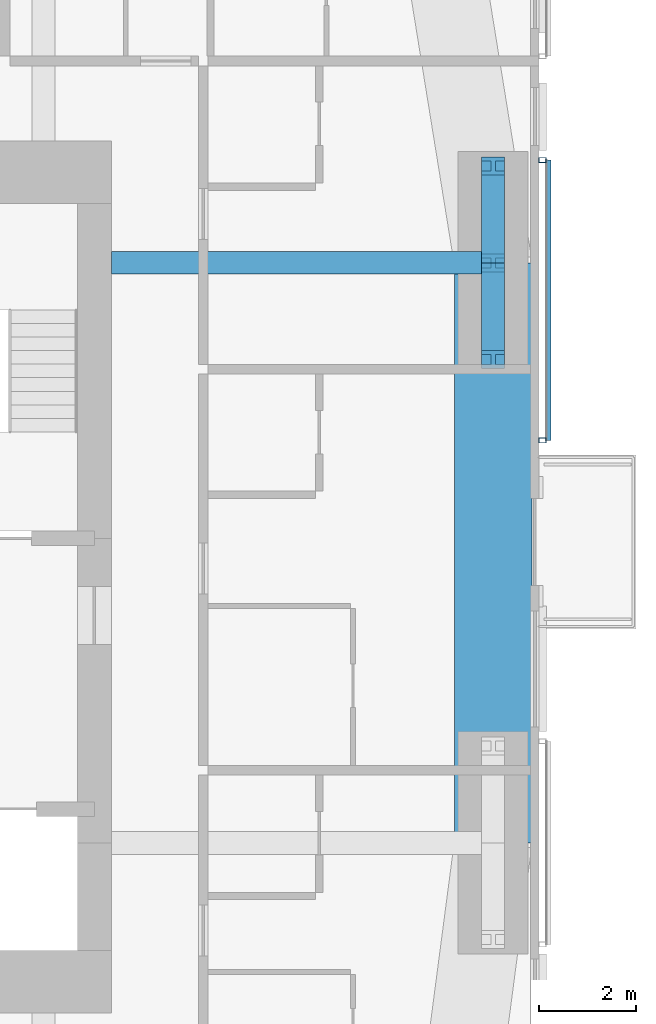
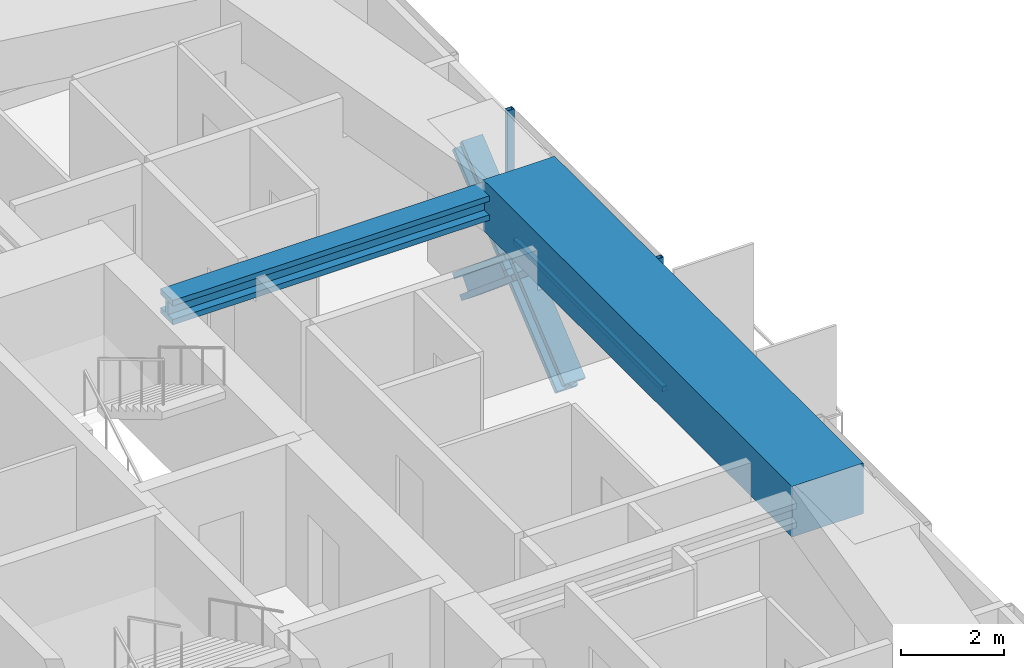
# One storey, part 8 of 23: 7 members, 2 beams, 1 element without a shape of its own.
"""IFC4 building model written with IfcOpenShell, lengths in metres."""

from ifc_helpers import new_model, si_unit, direction, frame, origin, origin_2d, place, context, subcontext, project, spatial, rectangle, hollow_rectangle, i_section, extrude, material, material_profile, profile_set, type_object, element, aggregate, save


model = new_model("IFC4")

# Units and contexts
model_context = context("Model", 3, precision=1e-05, world=origin(), true_north=direction((0.0, 1.0)))
body_context = subcontext(model_context, "Body", "Model", "MODEL_VIEW")
ifc_project = project(units=[si_unit("LENGTHUNIT", "METRE"), si_unit("AREAUNIT", "SQUARE_METRE"), si_unit("VOLUMEUNIT", "CUBIC_METRE"), si_unit("PLANEANGLEUNIT", "RADIAN"), si_unit("MASSUNIT", "GRAM", prefix="KILO")], contexts=[model_context])

# Site, building, storey
site_placement = place(None, origin())
site = spatial("IfcSite", under=ifc_project, at=site_placement, CompositionType="ELEMENT")
building_placement = place(site_placement, origin())
building = spatial("IfcBuilding", under=site, at=building_placement, Name="Jalousie Tower", CompositionType="ELEMENT")
storey_placement = place(building_placement, frame((0.0, 0.0, 157.699951171875)))
storey = spatial("IfcBuildingStorey", under=building, at=storey_placement, Name="L42", CompositionType="ELEMENT", Elevation=157.699951171875)

# Beam
ifc_material_1 = material(Name="Steel ASTM A992 Grade 50", Category="steel")
ifc_material_profile_1 = material_profile(ifc_material_1, i_section(OverallWidth=0.472412109375, OverallDepth=0.5791015625, WebThickness=0.094970703125, FlangeThickness=0.1298828125, at=origin_2d()), Name="W14X808")
ifc_profile_set_1 = profile_set([ifc_material_profile_1], Name="Steel ASTM A992 Grade 50")
beam_type_1 = type_object("IfcBeamType", Name="LEAN COLLECTOR W14X808", PredefinedType="BEAM", material=ifc_profile_set_1)
beam_1_placement = place(storey_placement, frame((52.050048828125, 25.0, 2.820556640625), z_axis=(-1.0, 0.0, 0.0), x_axis=(0.0, -1.0, 0.0)))
element("IfcBeam", 1, at=beam_1_placement, inside=storey, type_object=beam_type_1, Name="Lean collector under L43", PredefinedType="BEAM", context=body_context, shape_type="SweptSolid", body=[
    extrude(i_section(OverallWidth=0.472412109375, OverallDepth=0.5791015625, WebThickness=0.094970703125, FlangeThickness=0.1298828125, at=origin_2d()), origin(), (0.0, 0.0, 1.0), 7.900146484375),
])

# Members
ifc_material_2 = material(Name="Steel ASTM A992 Grade 50", Category="steel")
ifc_material_profile_2 = material_profile(ifc_material_2, i_section(OverallWidth=0.472412109375, OverallDepth=0.5791015625, WebThickness=0.094970703125, FlangeThickness=0.1298828125, at=origin_2d()), Name="W14X808")
ifc_profile_set_2 = profile_set([ifc_material_profile_2], Name="Steel ASTM A992 Grade 50")
member_type_1 = type_object("IfcMemberType", Name="PERIMETER BRACE W14X808", PredefinedType="BRACE", material=ifc_profile_set_2)
member_1_placement = place(storey_placement, frame((52.050048828125, 23.0, -0.599853515625), z_axis=(0.0, 0.766684820047, 0.642023665225), x_axis=(-1.0, 0.0, 0.0)))
element("IfcMember", 2, at=member_1_placement, inside=storey, type_object=member_type_1, Name="Perimeter brace 07 L42 part 1", PredefinedType="BRACE", context=body_context, shape_type="SweptSolid", body=[
    extrude(i_section(OverallWidth=0.472412109375, OverallDepth=0.5791015625, WebThickness=0.094970703125, FlangeThickness=0.1298828125, at=origin_2d()), origin(), (0.0, 0.0, 1.0), 2.608642578125),
])
member_2_placement = place(storey_placement, frame((52.050048828125, 25.0, 1.074951171875), z_axis=(0.0, 0.766638753323, 0.642078672674), x_axis=(-1.0, 0.0, 0.0)))
element("IfcMember", 3, at=member_2_placement, inside=storey, type_object=member_type_1, Name="Perimeter brace 07 L42 part 2", PredefinedType="BRACE", context=body_context, shape_type="SweptSolid", body=[
    extrude(i_section(OverallWidth=0.472412109375, OverallDepth=0.5791015625, WebThickness=0.094970703125, FlangeThickness=0.1298828125, at=origin_2d()), origin(), (0.0, 0.0, 1.0), 2.60888671875),
])
member_3_placement = place(storey_placement, frame((52.050048828125, 27.0, -0.599853515625), z_axis=(0.0, -0.766684820047, 0.642023665225), x_axis=(1.0, 0.0, 0.0)))
element("IfcMember", 4, at=member_3_placement, inside=storey, type_object=member_type_1, Name="Perimeter brace 07 L42 part 3", PredefinedType="BRACE", context=body_context, shape_type="SweptSolid", body=[
    extrude(i_section(OverallWidth=0.472412109375, OverallDepth=0.5791015625, WebThickness=0.094970703125, FlangeThickness=0.1298828125, at=origin_2d()), origin(), (0.0, 0.0, 1.0), 2.608642578125),
])
member_4_placement = place(storey_placement, frame((52.050048828125, 25.0, 1.074951171875), z_axis=(0.0, -0.766638753323, 0.642078672674), x_axis=(1.0, 0.0, 0.0)))
element("IfcMember", 5, at=member_4_placement, inside=storey, type_object=member_type_1, Name="Perimeter brace 07 L42 part 4", PredefinedType="BRACE", context=body_context, shape_type="SweptSolid", body=[
    extrude(i_section(OverallWidth=0.472412109375, OverallDepth=0.5791015625, WebThickness=0.094970703125, FlangeThickness=0.1298828125, at=origin_2d()), origin(), (0.0, 0.0, 1.0), 2.60888671875),
])

# Beam
ifc_material_3 = material(Name="Concrete f'c 40 MPa", Category="concrete")
ifc_material_profile_3 = material_profile(ifc_material_3, rectangle(XDim=1.60009765625, YDim=1.199951171875, at=origin_2d()), Name="RC 1600x1200")
ifc_profile_set_3 = profile_set([ifc_material_profile_3], Name="Concrete f'c 40 MPa")
beam_type_2 = type_object("IfcBeamType", Name="RC BEAM 1600x1200", PredefinedType="BEAM", material=ifc_profile_set_3)
beam_2_placement = place(storey_placement, frame((52.050048828125, 13.0, 2.75), z_axis=(0.0, 1.0, 0.0), x_axis=(-1.0, 0.0, 0.0)))
element("IfcBeam", 6, at=beam_2_placement, inside=storey, type_object=beam_type_2, Name="Edge band beam 06-07 under L43", PredefinedType="BEAM", context=body_context, shape_type="SweptSolid", body=[
    extrude(rectangle(XDim=1.60009765625, YDim=1.199951171875, at=origin_2d()), origin(), (0.0, 0.0, 1.0), 12.0),
])

# Curtain wall, members
ifc_material_4 = material(Name="Perforated aluminium sheet", Category="aluminium")
curtain_wall_type = type_object("IfcCurtainWallType", Name="SOLAR SCREEN SS-1", PredefinedType="USERDEFINED", material=ifc_material_4)
curtain_wall_placement = place(storey_placement, origin())
curtain_wall = element("IfcCurtainWall", 7, at=curtain_wall_placement, inside=storey, type_object=curtain_wall_type, Name="Solar screen L42", ObjectType="SOLAR SCREEN SS-1", PredefinedType="USERDEFINED")
ifc_material_5 = material(Name="Steel ASTM A500 Grade C", Category="steel")
ifc_material_profile_4 = material_profile(ifc_material_5, hollow_rectangle(XDim=0.1015625, YDim=0.15234375, WallThickness=0.00634765625, at=origin_2d()), Name="HSS6X4X1/4")
ifc_profile_set_4 = profile_set([ifc_material_profile_4], Name="Steel ASTM A500 Grade C")
member_type_2 = type_object("IfcMemberType", Name="SOLAR SCREEN SS-1 MULLION", PredefinedType="MULLION", material=ifc_profile_set_4)
member_5_placement = place(storey_placement, frame((53.0712890625, 21.324951171875, -0.119873046875), z_axis=(0.0, 0.0, 1.0), x_axis=(0.0, 1.0, 0.0)))
member_5 = element("IfcMember", 8, at=member_5_placement, type_object=member_type_2, Name="SS1 post 1", PredefinedType="MULLION", context=body_context, shape_type="SweptSolid", body=[
    extrude(hollow_rectangle(XDim=0.1015625, YDim=0.15234375, WallThickness=0.00634765625, at=origin_2d()), origin(), (0.0, 0.0, 1.0), 3.22998046875),
])
member_6_placement = place(storey_placement, frame((53.0712890625, 27.12451171875, -0.119873046875), z_axis=(0.0, 0.0, 1.0), x_axis=(0.0, 1.0, 0.0)))
member_6 = element("IfcMember", 9, at=member_6_placement, type_object=member_type_2, Name="SS1 post 2", PredefinedType="MULLION", context=body_context, shape_type="SweptSolid", body=[
    extrude(hollow_rectangle(XDim=0.1015625, YDim=0.15234375, WallThickness=0.00634765625, at=origin_2d()), origin(), (0.0, 0.0, 1.0), 3.22998046875),
])
ifc_material_6 = material(Name="Extruded aluminium screen rail", Category="aluminium")
ifc_material_profile_5 = material_profile(ifc_material_6, rectangle(XDim=0.1015625, YDim=0.1201171875, at=origin_2d()), Name="RAIL 102x120")
ifc_profile_set_5 = profile_set([ifc_material_profile_5], Name="Extruded aluminium screen rail")
member_type_3 = type_object("IfcMemberType", Name="SOLAR SCREEN SS-1 TRANSOM", PredefinedType="USERDEFINED", material=ifc_profile_set_5)
member_7_placement = place(storey_placement, frame((53.1982421875, 21.324951171875, -0.06005859375), z_axis=(0.0, 1.0, 0.0), x_axis=(-1.0, 0.0, 0.0)))
member_7 = element("IfcMember", 10, at=member_7_placement, type_object=member_type_3, Name="SS1 rail", ObjectType="TRANSOM", PredefinedType="USERDEFINED", context=body_context, shape_type="SweptSolid", body=[
    extrude(rectangle(XDim=0.1015625, YDim=0.1201171875, at=origin_2d()), origin(), (0.0, 0.0, 1.0), 5.799560546875),
])
aggregate(curtain_wall, [member_5, member_6, member_7])

save(model, "model.ifc")
